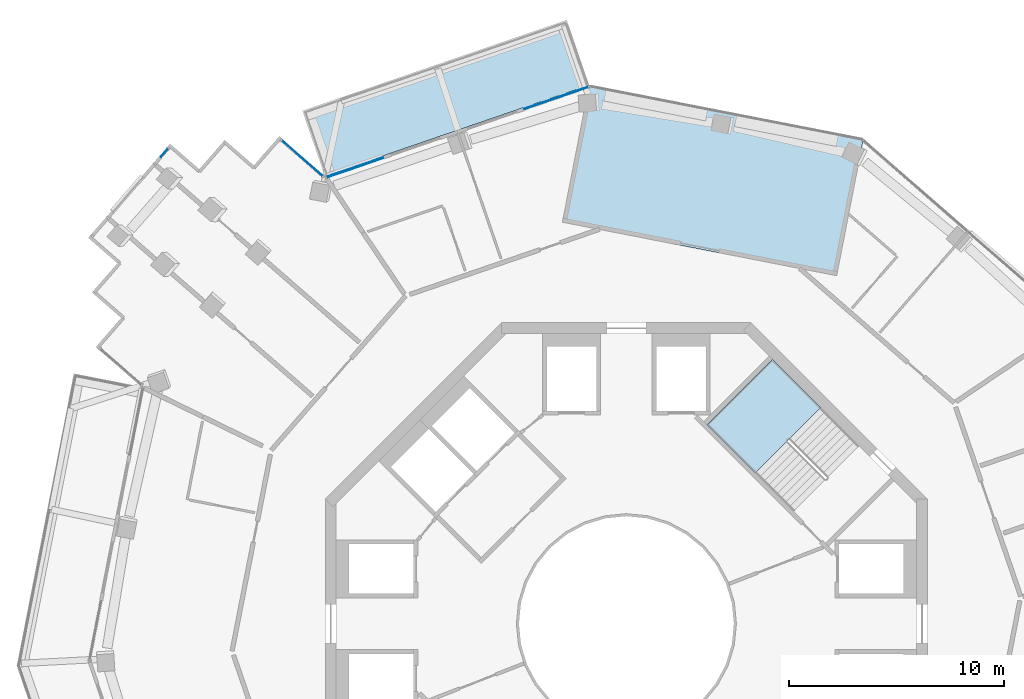
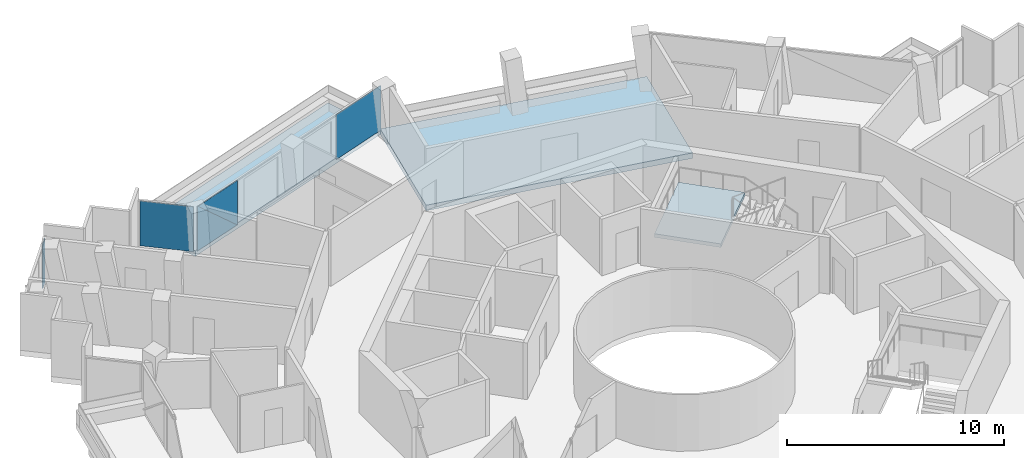
# One storey, part 12 of 22: 5 plates, 3 slabs, 4 elements without a shape of their own.
"""IFC4 building model written with IfcOpenShell, lengths in metres."""

from ifc_helpers import new_model, si_unit, direction, frame, origin, origin_2d, place, context, subcontext, project, spatial, polyline, rectangle, outline, extrude, material, layer, layer_set, type_object, element, aggregate, save


model = new_model("IFC4")

# Units and contexts
model_context = context("Model", 3, precision=1e-05, world=origin(), true_north=direction((0.0, 1.0)))
body_context = subcontext(model_context, "Body", "Model", "MODEL_VIEW")
ifc_project = project(units=[si_unit("LENGTHUNIT", "METRE"), si_unit("AREAUNIT", "SQUARE_METRE"), si_unit("VOLUMEUNIT", "CUBIC_METRE"), si_unit("PLANEANGLEUNIT", "RADIAN"), si_unit("MASSUNIT", "GRAM", prefix="KILO")], contexts=[model_context])

# Site, building, storey
site_placement = place(None, origin())
site = spatial("IfcSite", under=ifc_project, at=site_placement, CompositionType="ELEMENT")
building_placement = place(site_placement, origin())
building = spatial("IfcBuilding", under=site, at=building_placement, Name="Verdalira Terraces Hotel", CompositionType="ELEMENT")
storey_placement = place(building_placement, frame((0.0, 0.0, 234.0)))
storey = spatial("IfcBuildingStorey", under=building, at=storey_placement, Name="L57", CompositionType="ELEMENT", Elevation=234.0)

# Slab
ifc_material_1 = material(Name="Precast concrete C40/50", Category="concrete")
ifc_layer_1 = layer(ifc_material_1, 0.31005859375)
ifc_layer_set_1 = layer_set([ifc_layer_1], Name="Balcony deck 310")
slab_type_1 = type_object("IfcSlabType", Name="Balcony deck 310", PredefinedType="FLOOR", material=ifc_layer_set_1)
slab_1_placement = place(storey_placement, frame((0.0, 0.0, -0.310059)))
element("IfcSlab", 1, at=slab_1_placement, inside=storey, type_object=slab_type_1, Name="Balcony deck", PredefinedType="FLOOR", context=body_context, shape_type="SweptSolid", body=[
    extrude(outline(polyline([(-15.068848, 23.856689), (-14.029053, 20.830322), (-1.734375, 25.054199), (-2.77417, 28.080566), (-15.068848, 23.856689)])), origin(), (0.0, 0.0, 1.0), 0.310059),
])

# Curtain wall, plates
ifc_material_2 = material(Name="Clear glass", Category="glass")
ifc_layer_2 = layer(ifc_material_2, 0.14990234375)
ifc_layer_set_2 = layer_set([ifc_layer_2], Name="CW1 curtain wall")
curtain_wall_type_1 = type_object("IfcCurtainWallType", Name="CW1 curtain wall", PredefinedType="NOTDEFINED", material=ifc_layer_set_2)
curtain_wall_1_placement = place(storey_placement, origin())
curtain_wall_1 = element("IfcCurtainWall", 2, at=curtain_wall_1_placement, inside=storey, type_object=curtain_wall_type_1, Name="CW1 curtain wall L57 edge 41", PredefinedType="NOTDEFINED")
ifc_material_3 = material(Name="Clear glass", Category="glass")
ifc_layer_3 = layer(ifc_material_3, 0.028076171875)
ifc_layer_set_3 = layer_set([ifc_layer_3], Name="CW1 glass unit 28")
plate_type_1 = type_object("IfcPlateType", Name="CW1 glass unit 28", PredefinedType="CURTAIN_PANEL", material=ifc_layer_set_3)
plate_1_placement = place(storey_placement, frame((-3.251465, 24.453613, 0.0), z_axis=(0.0, 0.0, 1.0), x_axis=(-0.945745635, -0.324907979, 0.0)))
plate_1 = element("IfcPlate", 3, at=plate_1_placement, type_object=plate_type_1, Name="CW1 glass unit", PredefinedType="CURTAIN_PANEL", context=body_context, shape_type="SweptSolid", body=[
    extrude(rectangle(XDim=3.139893, YDim=0.028076, at=origin_2d()), origin(), (0.0, 0.0, 1.0), 2.524902),
])
plate_2_placement = place(storey_placement, frame((-12.629395, 21.217041, 1.262451), z_axis=(-0.324907979, 0.945745635, 0.0), x_axis=(-0.945745635, -0.324907979, 0.0)))
plate_2 = element("IfcPlate", 4, at=plate_2_placement, type_object=plate_type_1, Name="CW1 glass unit", PredefinedType="CURTAIN_PANEL", context=body_context, shape_type="SweptSolid", body=[
    extrude(outline(polyline([(-1.389404, -1.262451), (1.389404, -1.262451), (1.389404, 1.262451), (-1.389404, -1.262451)])), origin(), (0.0, 0.0, 1.0), 0.028076),
])
plate_3_placement = place(storey_placement, frame((-12.620117, 21.189453, 1.262451), z_axis=(-0.324907979, 0.945745635, 0.0), x_axis=(-0.945745635, -0.324907979, 0.0)))
plate_3 = element("IfcPlate", 5, at=plate_3_placement, type_object=plate_type_1, Name="CW1 glass unit", PredefinedType="CURTAIN_PANEL", context=body_context, shape_type="SweptSolid", body=[
    extrude(outline(polyline([(-1.389404, -1.262451), (1.389404, 1.262451), (-1.389404, 1.262451), (-1.389404, -1.262451)])), origin(), (0.0, 0.0, 1.0), 0.028076),
])
aggregate(curtain_wall_1, [plate_1, plate_2, plate_3])

# Curtain wall, plate
ifc_material_4 = material(Name="Clear glass", Category="glass")
ifc_layer_4 = layer(ifc_material_4, 0.14990234375)
ifc_layer_set_4 = layer_set([ifc_layer_4], Name="CW2 curtain wall")
curtain_wall_type_2 = type_object("IfcCurtainWallType", Name="CW2 curtain wall", PredefinedType="NOTDEFINED", material=ifc_layer_set_4)
curtain_wall_2_placement = place(storey_placement, origin())
curtain_wall_2 = element("IfcCurtainWall", 6, at=curtain_wall_2_placement, inside=storey, type_object=curtain_wall_type_2, Name="CW2 curtain wall L57 edge 0", PredefinedType="NOTDEFINED")
ifc_material_5 = material(Name="Clear glass", Category="glass")
ifc_layer_5 = layer(ifc_material_5, 0.031982421875)
ifc_layer_set_5 = layer_set([ifc_layer_5], Name="CW2 glass unit 32")
plate_type_2 = type_object("IfcPlateType", Name="CW2 glass unit 32", PredefinedType="CURTAIN_PANEL", material=ifc_layer_set_5)
plate_4_placement = place(storey_placement, frame((-15.080078, 21.645752, 0.0), z_axis=(0.0, 0.0, 1.0), x_axis=(-0.754251381, 0.656585756, 0.0)))
plate_4 = element("IfcPlate", 7, at=plate_4_placement, type_object=plate_type_2, Name="CW2 glass unit", PredefinedType="CURTAIN_PANEL", context=body_context, shape_type="SweptSolid", body=[
    extrude(rectangle(XDim=2.516602, YDim=0.031982, at=origin_2d()), origin(), (0.0, 0.0, 1.0), 2.524902),
])
aggregate(curtain_wall_2, [plate_4])

ifc_material_6 = material(Name="Clear glass", Category="glass")
ifc_layer_6 = layer(ifc_material_6, 0.14990234375)
ifc_layer_set_6 = layer_set([ifc_layer_6], Name="CW3 curtain wall")
curtain_wall_type_3 = type_object("IfcCurtainWallType", Name="CW3 curtain wall", PredefinedType="NOTDEFINED", material=ifc_layer_set_6)
curtain_wall_3_placement = place(storey_placement, origin())
curtain_wall_3 = element("IfcCurtainWall", 8, at=curtain_wall_3_placement, inside=storey, type_object=curtain_wall_type_3, Name="CW3 curtain wall L57 edge 5", PredefinedType="NOTDEFINED")
ifc_material_7 = material(Name="Clear glass", Category="glass")
ifc_layer_7 = layer(ifc_material_7, 0.035888671875)
ifc_layer_set_7 = layer_set([ifc_layer_7], Name="CW3 glass unit 36")
plate_type_3 = type_object("IfcPlateType", Name="CW3 glass unit 36", PredefinedType="CURTAIN_PANEL", material=ifc_layer_set_7)
plate_5_placement = place(storey_placement, frame((-21.486816, 21.906494, 0.0), z_axis=(0.0, 0.0, 1.0), x_axis=(-0.656585756, -0.754251381, 0.0)))
plate_5 = element("IfcPlate", 9, at=plate_5_placement, type_object=plate_type_3, Name="CW3 glass unit", PredefinedType="CURTAIN_PANEL", context=body_context, shape_type="SweptSolid", body=[
    extrude(rectangle(XDim=0.51001, YDim=0.035889, at=origin_2d()), origin(), (0.0, 0.0, 1.0), 2.524902),
])
aggregate(curtain_wall_3, [plate_5])

# Stair, slab
ifc_material_8 = material(Name="Concrete C40", Category="concrete")
stair_type = type_object("IfcStairType", Name="Core stair 20 risers 2100 mm wide", PredefinedType="HALF_TURN_STAIR", material=ifc_material_8)
stair_placement = place(storey_placement, origin())
stair = element("IfcStair", 10, at=stair_placement, inside=storey, type_object=stair_type, Name="L57 Exit stair ST1", PredefinedType="HALF_TURN_STAIR")
ifc_material_9 = material(Name="Concrete C40", Category="concrete")
ifc_layer_8 = layer(ifc_material_9, 0.199951171875)
ifc_layer_set_8 = layer_set([ifc_layer_8], Name="Core stair landing 200 mm")
slab_type_2 = type_object("IfcSlabType", Name="Core stair landing 200 mm", PredefinedType="LANDING", material=ifc_layer_set_8)
slab_2_placement = place(storey_placement, frame((0.0, 0.0, 1.550049)))
slab_2 = element("IfcSlab", 11, at=slab_2_placement, type_object=slab_type_2, Name="ST1 landing 1", PredefinedType="LANDING", context=body_context, shape_type="SweptSolid", body=[
    extrude(outline(polyline([(9.037109, 10.054688), (6.78833, 12.303711), (3.747559, 9.263184), (5.996582, 7.01416), (9.037109, 10.054688)])), origin(), (0.0, 0.0, 1.0), 0.199951),
])
aggregate(stair, [slab_2])

# Slab
ifc_material_10 = material(Name="Concrete C40", Category="concrete")
ifc_layer_9 = layer(ifc_material_10, 0.31005859375)
ifc_layer_set_9 = layer_set([ifc_layer_9], Name="Loggia floor deck 310 C40")
slab_type_3 = type_object("IfcSlabType", Name="Loggia floor deck 310 C40", PredefinedType="FLOOR", material=ifc_layer_set_9)
slab_3_placement = place(storey_placement, frame((0.0, 0.0, -0.310059)))
element("IfcSlab", 12, at=slab_3_placement, inside=storey, type_object=slab_type_3, Name="Loggia deck L57", PredefinedType="FLOOR", context=body_context, shape_type="SweptSolid", body=[
    extrude(outline(polyline([(9.780273, 16.185059), (11.024902, 22.564697), (-1.734375, 25.054199), (-2.979004, 18.674316), (9.780273, 16.185059)])), origin(), (0.0, 0.0, 1.0), 0.310059),
])

save(model, "model.ifc")
